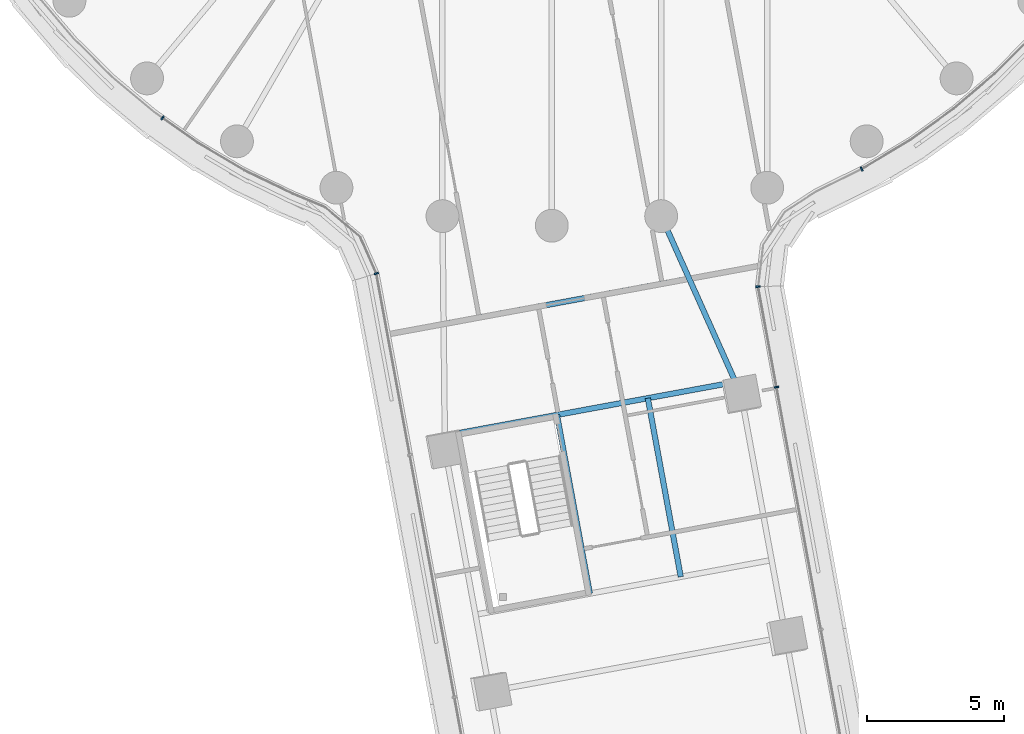
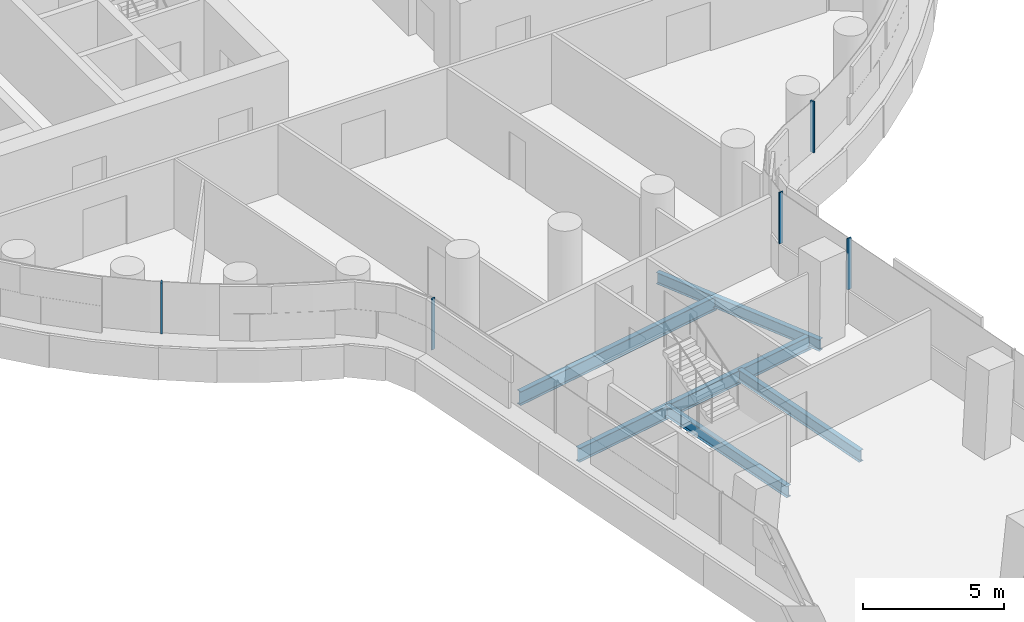
# One storey, part 5 of 33: 5 beams, 5 members, 4 elements without a shape of their own.
"""IFC4 building model written with IfcOpenShell, lengths in metres."""

from ifc_helpers import new_model, si_unit, direction, frame, origin, origin_2d, place, context, subcontext, project, spatial, rectangle, i_section, extrude, material, layer, layer_set, material_profile, profile_set, type_object, element, aggregate, save


model = new_model("IFC4")

# Units and contexts
model_context = context("Model", 3, precision=1e-05, world=origin(), true_north=direction((0.0, 1.0)))
body_context = subcontext(model_context, "Body", "Model", "MODEL_VIEW")
ifc_project = project(units=[si_unit("LENGTHUNIT", "METRE"), si_unit("AREAUNIT", "SQUARE_METRE"), si_unit("VOLUMEUNIT", "CUBIC_METRE"), si_unit("PLANEANGLEUNIT", "RADIAN"), si_unit("MASSUNIT", "GRAM", prefix="KILO")], contexts=[model_context])

# Site, building, storey
site_placement = place(None, origin())
site = spatial("IfcSite", under=ifc_project, at=site_placement, CompositionType="ELEMENT")
building_placement = place(site_placement, origin())
building = spatial("IfcBuilding", under=site, at=building_placement, Name="Tamarind Cross Interchange Tower", CompositionType="ELEMENT")
storey_placement = place(building_placement, frame((0.0, 0.0, 71.5)))
storey = spatial("IfcBuildingStorey", under=building, at=storey_placement, Name="L16", CompositionType="ELEMENT", Elevation=71.5)

# Beams
ifc_material_1 = material(Name="Steel Q355B", Category="steel")
ifc_material_profile_1 = material_profile(ifc_material_1, i_section(OverallWidth=0.198974609375, OverallDepth=0.49609375, WebThickness=0.009033203125, FlangeThickness=0.013916015625, FilletRadius=0.012939453125, at=origin_2d()), Name="HN 496x199x9x14")
ifc_profile_set_1 = profile_set([ifc_material_profile_1], Name="Steel Q355B")
beam_type_1 = type_object("IfcBeamType", Name="Composite beam HN 496x199x9x14 Q355B", PredefinedType="BEAM", material=ifc_profile_set_1)
beam_1_placement = place(storey_placement, frame((6.9140625, -29.1650390625, -0.387939453125), z_axis=(-0.40904608475, 0.912513726226, 0.0), x_axis=(-0.912513726226, -0.40904608475, 0.0)))
element("IfcBeam", 1, at=beam_1_placement, inside=storey, type_object=beam_type_1, Name="Beam S-linkep", PredefinedType="BEAM", context=body_context, shape_type="SweptSolid", body=[
    extrude(i_section(OverallWidth=0.198974609375, OverallDepth=0.49609375, WebThickness=0.009033203125, FlangeThickness=0.013916015625, FilletRadius=0.012939453125, at=origin_2d()), origin(), (0.0, 0.0, 1.0), 7.138916015625),
])
for number, where, z_axis, x_axis, name in (
    (2, (0.18798828125, -29.911865234375, -0.387939453125), (0.181326316781, -0.983422984703, 0.0), (0.983422984703, 0.181326316781, 0.0), "Beam S-tr1"),
    (3, (3.5068359375, -29.2998046875, -0.387939453125), (0.181361901743, -0.983416422781, 0.0), (0.983416422781, 0.181361901743, 0.0), "Beam S-stripp"),
):
    element("IfcBeam", number, at=place(storey_placement, frame(where, z_axis=z_axis, x_axis=x_axis)), inside=storey, type_object=beam_type_1, Name=name, PredefinedType="BEAM", context=body_context, shape_type="SweptSolid", body=[
        extrude(i_section(OverallWidth=0.198974609375, OverallDepth=0.49609375, WebThickness=0.009033203125, FlangeThickness=0.013916015625, FilletRadius=0.012939453125, at=origin_2d()), origin(), (0.0, 0.0, 1.0), 6.63525390625),
    ])
ifc_material_profile_2 = material_profile(ifc_material_1, i_section(OverallWidth=0.199951171875, OverallDepth=0.60009765625, WebThickness=0.010986328125, FlangeThickness=0.01708984375, FilletRadius=0.012939453125, at=origin_2d()), Name="HN 600x200x11x17")
ifc_profile_set_2 = profile_set([ifc_material_profile_2], Name="Steel Q355B")
beam_type_2 = type_object("IfcBeamType", Name="Composite beam HN 600x200x11x17 Q355B", PredefinedType="BEAM", material=ifc_profile_set_2)
beam_2_placement = place(storey_placement, frame((-3.908935546875, -30.667236328125, -0.43994140625), z_axis=(0.983421158095, 0.181336223109, 0.0), x_axis=(-0.181336223109, 0.983421158095, 0.0)))
element("IfcBeam", 4, at=beam_2_placement, inside=storey, type_object=beam_type_2, Name="Beam S-x298", PredefinedType="BEAM", context=body_context, shape_type="SweptSolid", body=[
    extrude(i_section(OverallWidth=0.199951171875, OverallDepth=0.60009765625, WebThickness=0.010986328125, FlangeThickness=0.01708984375, FilletRadius=0.012939453125, at=origin_2d()), origin(), (0.0, 0.0, 1.0), 10.797607421875),
])
beam_3_placement = place(storey_placement, frame((-3.9521484375, -26.5927734375, -0.43994140625), z_axis=(0.983421554854, 0.181334071397, 0.0), x_axis=(-0.181334071397, 0.983421554854, 0.0)))
element("IfcBeam", 5, at=beam_3_placement, inside=storey, type_object=beam_type_2, Name="Beam S-x258", PredefinedType="BEAM", context=body_context, shape_type="SweptSolid", body=[
    extrude(i_section(OverallWidth=0.199951171875, OverallDepth=0.60009765625, WebThickness=0.010986328125, FlangeThickness=0.01708984375, FilletRadius=0.012939453125, at=origin_2d()), origin(), (0.0, 0.0, 1.0), 9.122802734375),
])

# Curtain wall, member
ifc_material_2 = material(Name="Aluminium 6063-T6", Category="aluminium")
ifc_layer = layer(ifc_material_2, 0.159912109375)
ifc_layer_set = layer_set([ifc_layer], Name="Aluminium 6063-T6")
curtain_wall_type = type_object("IfcCurtainWallType", Name="Office curtain wall, 9.0 m bays", PredefinedType="NOTDEFINED", material=ifc_layer_set)
curtain_wall_1_placement = place(storey_placement, origin())
curtain_wall_1 = element("IfcCurtainWall", 6, at=curtain_wall_1_placement, inside=storey, type_object=curtain_wall_type, Name="CWS-L16-02", PredefinedType="NOTDEFINED")
ifc_material_profile_3 = material_profile(ifc_material_2, rectangle(XDim=0.06005859375, YDim=0.159912109375, at=origin_2d()), Name="Mullion CW1")
ifc_profile_set_3 = profile_set([ifc_material_profile_3], Name="Aluminium 6063-T6")
member_type = type_object("IfcMemberType", Name="Mullion CW1", PredefinedType="MULLION", material=ifc_profile_set_3)
member_1_placement = place(storey_placement, frame((-14.219482421875, -19.06396484375, 1.39990234375), z_axis=(0.0, 0.0, 1.0), x_axis=(0.816341886298, -0.577568978284, 0.0)))
member_1 = element("IfcMember", 7, at=member_1_placement, type_object=member_type, Name="CWM-L16-02-02", PredefinedType="MULLION", context=body_context, shape_type="SweptSolid", body=[
    extrude(rectangle(XDim=0.06005859375, YDim=0.159912109375, at=origin_2d()), origin(), (0.0, 0.0, 1.0), 2.210205078125),
])
aggregate(curtain_wall_1, [member_1])

curtain_wall_2_placement = place(storey_placement, origin())
curtain_wall_2 = element("IfcCurtainWall", 8, at=curtain_wall_2_placement, inside=storey, type_object=curtain_wall_type, Name="CWS-L16-03", PredefinedType="NOTDEFINED")
member_2_placement = place(storey_placement, frame((-6.408203125, -24.746826171875, 1.39990234375), z_axis=(0.0, 0.0, 1.0), x_axis=(0.293402604006, -0.955988970628, 0.0)))
member_2 = element("IfcMember", 9, at=member_2_placement, type_object=member_type, Name="CWM-L16-03-00", PredefinedType="MULLION", context=body_context, shape_type="SweptSolid", body=[
    extrude(rectangle(XDim=0.06005859375, YDim=0.159912109375, at=origin_2d()), origin(), (0.0, 0.0, 1.0), 2.210205078125),
])
aggregate(curtain_wall_2, [member_2])

curtain_wall_3_placement = place(storey_placement, origin())
curtain_wall_3 = element("IfcCurtainWall", 10, at=curtain_wall_3_placement, inside=storey, type_object=curtain_wall_type, Name="CWS-L16-05", PredefinedType="NOTDEFINED")
member_3_placement = place(storey_placement, frame((8.208251953125, -28.896240234375, 1.39990234375), z_axis=(0.0, 0.0, 1.0), x_axis=(-0.180086190758, 0.98365083434, 0.0)))
member_3 = element("IfcMember", 11, at=member_3_placement, type_object=member_type, Name="CWM-L16-05-02", PredefinedType="MULLION", context=body_context, shape_type="SweptSolid", body=[
    extrude(rectangle(XDim=0.06005859375, YDim=0.159912109375, at=origin_2d()), origin(), (0.0, 0.0, 1.0), 2.210205078125),
])
aggregate(curtain_wall_3, [member_3])

# Curtain wall, members
curtain_wall_4_placement = place(storey_placement, origin())
curtain_wall_4 = element("IfcCurtainWall", 12, at=curtain_wall_4_placement, inside=storey, type_object=curtain_wall_type, Name="CWS-L16-06", PredefinedType="NOTDEFINED")
member_4_placement = place(storey_placement, frame((7.53662109375, -25.227294921875, 1.39990234375), z_axis=(0.0, 0.0, 1.0), x_axis=(-0.03151477182, 0.999503286216, 0.0)))
member_4 = element("IfcMember", 13, at=member_4_placement, type_object=member_type, Name="CWM-L16-06-00", PredefinedType="MULLION", context=body_context, shape_type="SweptSolid", body=[
    extrude(rectangle(XDim=0.06005859375, YDim=0.159912109375, at=origin_2d()), origin(), (0.0, 0.0, 1.0), 2.210205078125),
])
member_5_placement = place(storey_placement, frame((11.31982421875, -20.92626953125, 1.39990234375), z_axis=(0.0, 0.0, 1.0), x_axis=(0.896492548518, 0.443058811505, 0.0)))
member_5 = element("IfcMember", 14, at=member_5_placement, type_object=member_type, Name="CWM-L16-06-01", PredefinedType="MULLION", context=body_context, shape_type="SweptSolid", body=[
    extrude(rectangle(XDim=0.06005859375, YDim=0.159912109375, at=origin_2d()), origin(), (0.0, 0.0, 1.0), 2.210205078125),
])
aggregate(curtain_wall_4, [member_4, member_5])

save(model, "model.ifc")
